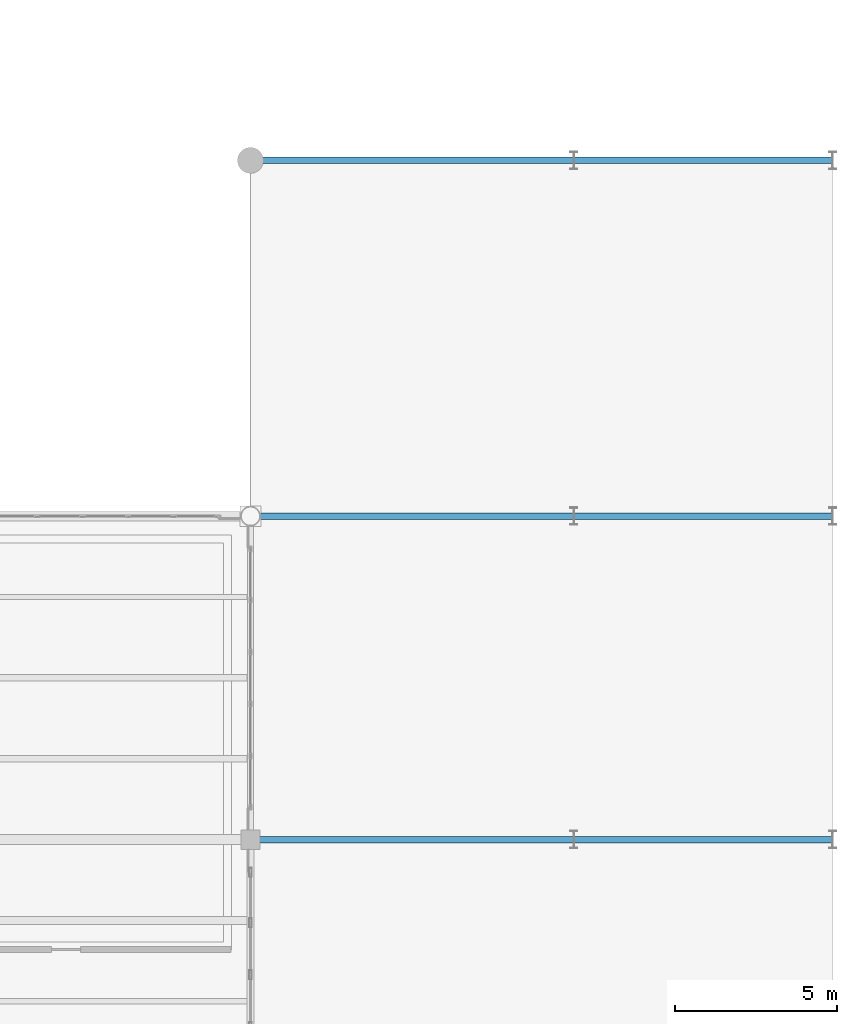
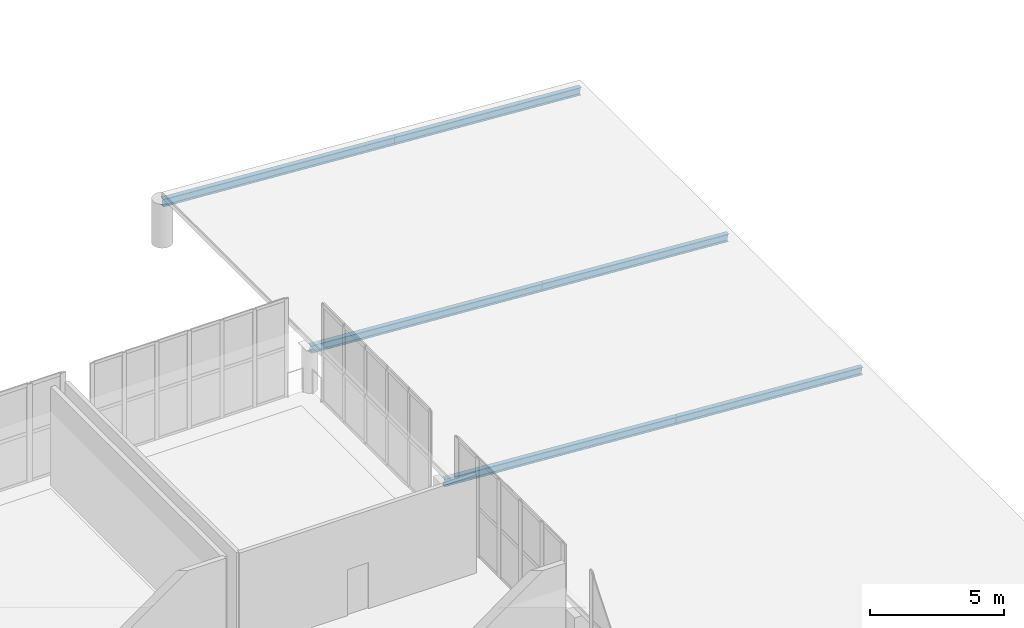
# One storey, part 91 of 136: 6 beams.
"""IFC4 building model written with IfcOpenShell, lengths in metres."""

from ifc_helpers import new_model, si_unit, direction, frame, origin, origin_2d, place, context, subcontext, project, spatial, i_section, extrude, material, material_profile, profile_set, type_object, element, save


model = new_model("IFC4")

# Units and contexts
model_context = context("Model", 3, precision=1e-05, world=origin(), true_north=direction((0.0, 1.0)))
body_context = subcontext(model_context, "Body", "Model", "MODEL_VIEW")
ifc_project = project(units=[si_unit("LENGTHUNIT", "METRE"), si_unit("AREAUNIT", "SQUARE_METRE"), si_unit("VOLUMEUNIT", "CUBIC_METRE"), si_unit("PLANEANGLEUNIT", "RADIAN"), si_unit("MASSUNIT", "GRAM", prefix="KILO")], contexts=[model_context])

# Site, building, storey
site_placement = place(None, origin())
site = spatial("IfcSite", under=ifc_project, at=site_placement, CompositionType="ELEMENT")
building_placement = place(site_placement, origin())
building = spatial("IfcBuilding", under=site, at=building_placement, Name="Brinegate Civic Arena", CompositionType="ELEMENT")
storey_placement = place(building_placement, frame((0.0, 0.0, 5.39990234375)))
storey = spatial("IfcBuildingStorey", under=building, at=storey_placement, Name="L01", CompositionType="ELEMENT", Elevation=5.39990234375)

# Beams
ifc_material = material(Name="Steel S355", Category="steel")
ifc_material_profile = material_profile(ifc_material, i_section(OverallWidth=0.202880859375, OverallDepth=0.346923828125, WebThickness=0.008056640625, FlangeThickness=0.013916015625, FilletRadius=0.013916015625, at=origin_2d()), Name="W360X64")
ifc_profile_set = profile_set([ifc_material_profile], Name="Steel S355")
beam_type = type_object("IfcBeamType", Name="JOIST-W360X64", PredefinedType="JOIST", material=ifc_profile_set)
beam_1_placement = place(storey_placement, frame((190.0, 72.0, 1.8271484375), z_axis=(0.997783001586, 0.0, -0.066551346688), x_axis=(0.0, 1.0, 0.0)))
element("IfcBeam", 1, at=beam_1_placement, inside=storey, type_object=beam_type, Name="Dock Roof Rafter H-1", PredefinedType="JOIST", context=body_context, shape_type="SweptSolid", body=[
    extrude(i_section(OverallWidth=0.202880859375, OverallDepth=0.346923828125, WebThickness=0.008056640625, FlangeThickness=0.013916015625, FilletRadius=0.013916015625, at=origin_2d()), origin(), (0.0, 0.0, 1.0), 10.022216796875),
])
beam_2_placement = place(storey_placement, frame((200.0, 72.0, 1.16015625), z_axis=(0.997788255676, 0.0, -0.066472526921), x_axis=(0.0, 1.0, 0.0)))
element("IfcBeam", 2, at=beam_2_placement, inside=storey, type_object=beam_type, Name="Dock Roof Rafter H-2", PredefinedType="JOIST", context=body_context, shape_type="SweptSolid", body=[
    extrude(i_section(OverallWidth=0.202880859375, OverallDepth=0.346923828125, WebThickness=0.008056640625, FlangeThickness=0.013916015625, FilletRadius=0.013916015625, at=origin_2d()), origin(), (0.0, 0.0, 1.0), 8.017822265625),
])
beam_3_placement = place(storey_placement, frame((190.0, 82.0, 1.8271484375), z_axis=(0.997783001586, 0.0, -0.066551346688), x_axis=(0.0, 1.0, 0.0)))
element("IfcBeam", 3, at=beam_3_placement, inside=storey, type_object=beam_type, Name="Dock Roof Rafter J-1", PredefinedType="JOIST", context=body_context, shape_type="SweptSolid", body=[
    extrude(i_section(OverallWidth=0.202880859375, OverallDepth=0.346923828125, WebThickness=0.008056640625, FlangeThickness=0.013916015625, FilletRadius=0.013916015625, at=origin_2d()), origin(), (0.0, 0.0, 1.0), 10.022216796875),
])
beam_4_placement = place(storey_placement, frame((200.0, 82.0, 1.16015625), z_axis=(0.997788255676, 0.0, -0.066472526921), x_axis=(0.0, 1.0, 0.0)))
element("IfcBeam", 4, at=beam_4_placement, inside=storey, type_object=beam_type, Name="Dock Roof Rafter J-2", PredefinedType="JOIST", context=body_context, shape_type="SweptSolid", body=[
    extrude(i_section(OverallWidth=0.202880859375, OverallDepth=0.346923828125, WebThickness=0.008056640625, FlangeThickness=0.013916015625, FilletRadius=0.013916015625, at=origin_2d()), origin(), (0.0, 0.0, 1.0), 8.017822265625),
])
beam_5_placement = place(storey_placement, frame((190.0, 93.0, 1.8271484375), z_axis=(0.997783001586, 0.0, -0.066551346688), x_axis=(0.0, 1.0, 0.0)))
element("IfcBeam", 5, at=beam_5_placement, inside=storey, type_object=beam_type, Name="Dock Roof Rafter K-1", PredefinedType="JOIST", context=body_context, shape_type="SweptSolid", body=[
    extrude(i_section(OverallWidth=0.202880859375, OverallDepth=0.346923828125, WebThickness=0.008056640625, FlangeThickness=0.013916015625, FilletRadius=0.013916015625, at=origin_2d()), origin(), (0.0, 0.0, 1.0), 10.022216796875),
])
beam_6_placement = place(storey_placement, frame((200.0, 93.0, 1.16015625), z_axis=(0.997788255676, 0.0, -0.066472526921), x_axis=(0.0, 1.0, 0.0)))
element("IfcBeam", 6, at=beam_6_placement, inside=storey, type_object=beam_type, Name="Dock Roof Rafter K-2", PredefinedType="JOIST", context=body_context, shape_type="SweptSolid", body=[
    extrude(i_section(OverallWidth=0.202880859375, OverallDepth=0.346923828125, WebThickness=0.008056640625, FlangeThickness=0.013916015625, FilletRadius=0.013916015625, at=origin_2d()), origin(), (0.0, 0.0, 1.0), 8.017822265625),
])

save(model, "model.ifc")
